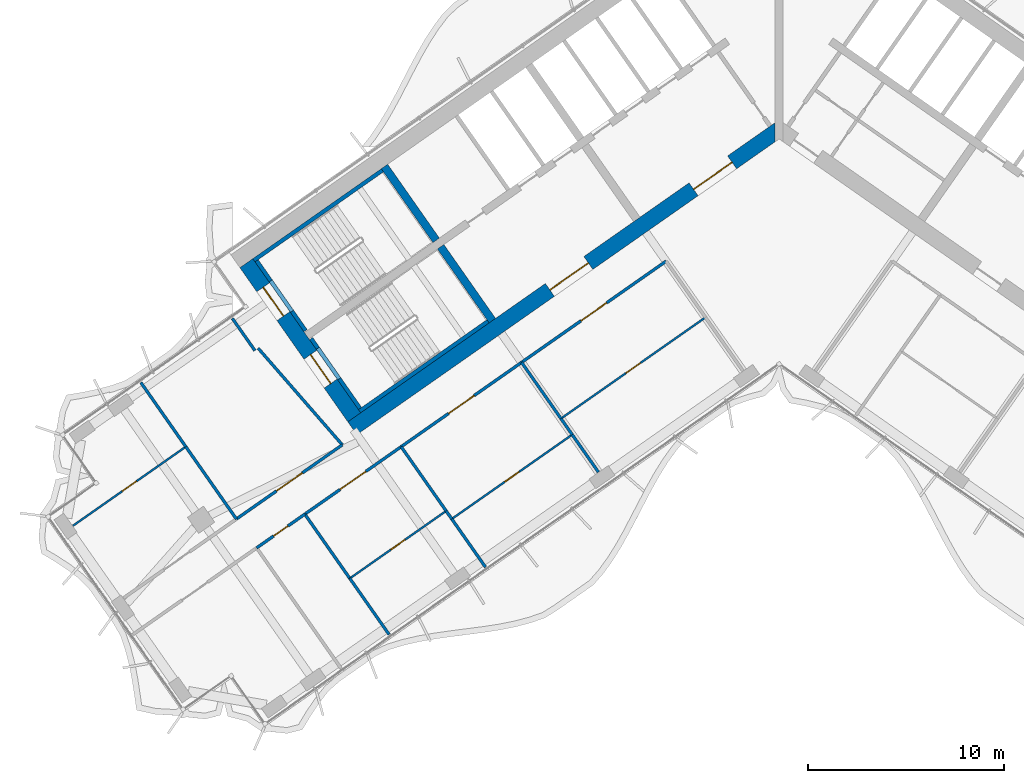
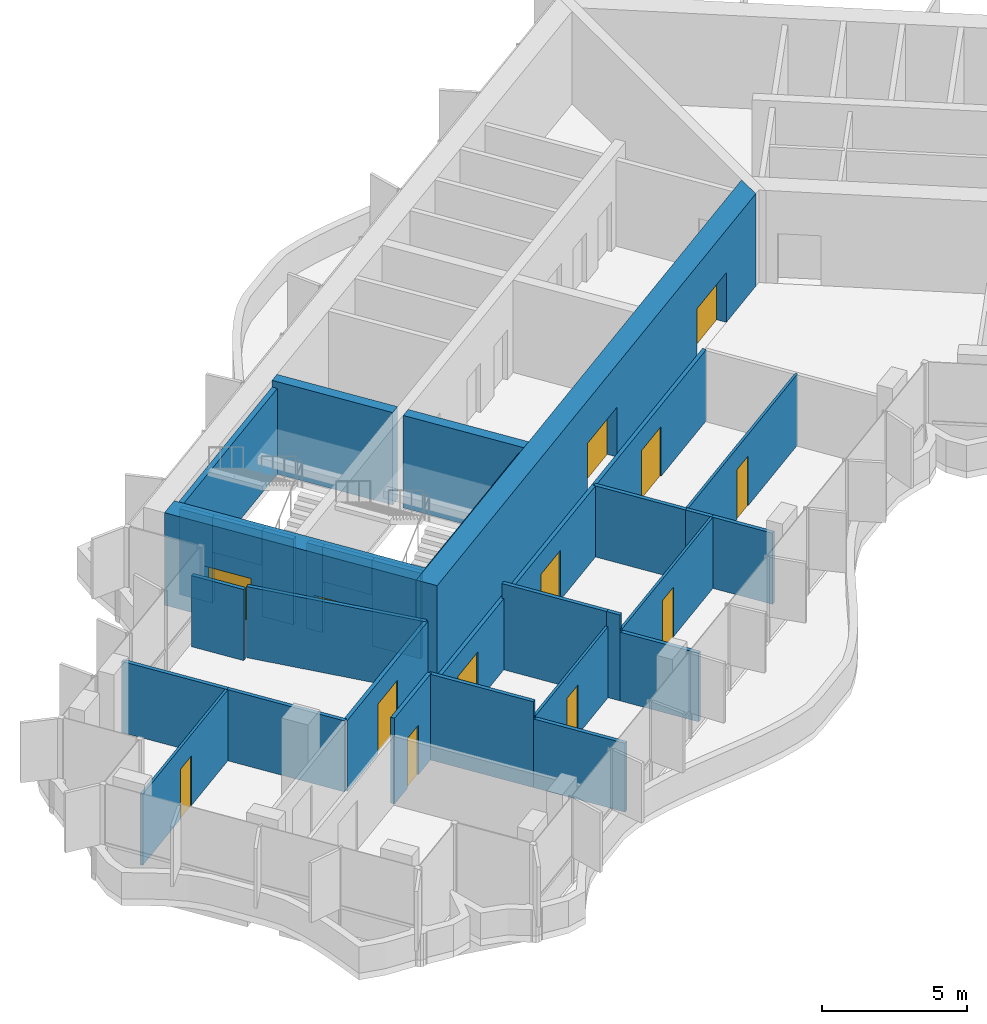
# One storey, part 13 of 23: 33 walls, 13 doors, 13 openings.
"""IFC4 building model written with IfcOpenShell, lengths in metres."""

from ifc_helpers import new_model, si_unit, direction, frame, frame_2d, origin, place, context, subcontext, project, spatial, polyline, rectangle, outline, extrude, material, layer, layer_set, type_object, element, fill, save


model = new_model("IFC4")

# Units and contexts
model_context = context("Model", 3, precision=1e-05, world=origin(), true_north=direction((0.0, 1.0)))
body_context = subcontext(model_context, "Body", "Model", "MODEL_VIEW")
ifc_project = project(units=[si_unit("LENGTHUNIT", "METRE"), si_unit("AREAUNIT", "SQUARE_METRE"), si_unit("VOLUMEUNIT", "CUBIC_METRE"), si_unit("PLANEANGLEUNIT", "RADIAN"), si_unit("MASSUNIT", "GRAM", prefix="KILO")], contexts=[model_context])

# Site, building, storey
site_placement = place(None, origin())
site = spatial("IfcSite", under=ifc_project, at=site_placement, CompositionType="ELEMENT")
building_placement = place(site_placement, origin())
building = spatial("IfcBuilding", under=site, at=building_placement, Name="Tel Ilan Convention Tower", CompositionType="ELEMENT")
storey_placement = place(building_placement, frame((0.0, 0.0, 190.5)))
storey = spatial("IfcBuildingStorey", under=building, at=storey_placement, Name="L44", CompositionType="ELEMENT", Elevation=190.5)

# Walls
ifc_material_1 = material(Name="Concrete C50/60", Category="concrete")
ifc_layer_1 = layer(ifc_material_1, 0.39990234375)
ifc_layer_set_1 = layer_set([ifc_layer_1], Name="Core Shear Wall 400 mm C50/60")
wall_type_1 = type_object("IfcWallType", Name="Core Shear Wall 400 mm C50/60", PredefinedType="SHEAR", material=ifc_layer_set_1)
wall_1_placement = place(storey_placement, frame((-14.6298828125, -10.48828125, 0.0), z_axis=(0.0, 0.0, 1.0), x_axis=(-0.573611936273, 0.819127185829, 0.0)))
element("IfcWall", 1, at=wall_1_placement, inside=storey, type_object=wall_type_1, Name="L44 core wall W-cross2-1", PredefinedType="SHEAR", context=body_context, shape_type="SweptSolid", body=[
    extrude(outline(polyline([(4.60009765625, 0.199951171875), (0.000244140625, 0.2001953125), (0.000244140625, -0.199951171875), (4.60009765625, -0.2001953125), (4.60009765625, 0.199951171875)])), origin(), (0.0, 0.0, 1.0), 3.89990234375),
])
wall_2_placement = place(storey_placement, frame((-17.497802734375, -6.392333984375, 0.0), z_axis=(0.0, 0.0, 1.0), x_axis=(-0.573611936273, 0.819127185829, 0.0)))
element("IfcWall", 2, at=wall_2_placement, inside=storey, type_object=wall_type_1, Name="L44 core wall W-cross2-2", PredefinedType="SHEAR", context=body_context, shape_type="SweptSolid", body=[
    extrude(outline(polyline([(4.599853515625, -0.2001953125), (4.599853515625, 0.199951171875), (0.0, 0.2001953125), (0.0, -0.199951171875), (4.599853515625, -0.2001953125)])), origin(), (0.0, 0.0, 1.0), 3.89990234375),
])

# Wall, openings, doors
ifc_material_2 = material(Name="Concrete C50/60", Category="concrete")
ifc_layer_2 = layer(ifc_material_2, 0.800048828125)
ifc_layer_set_2 = layer_set([ifc_layer_2], Name="Core Shear Wall 800 mm C50/60")
wall_type_2 = type_object("IfcWallType", Name="Core Shear Wall 800 mm C50/60", PredefinedType="SHEAR", material=ifc_layer_set_2)
wall_3_placement = place(storey_placement, frame((0.029296875, -0.7119140625, 0.0), z_axis=(0.0, 0.0, 1.0), x_axis=(-0.819151758019, -0.573576845187, 0.0)))
wall_3 = element("IfcWall", 3, at=wall_3_placement, inside=storey, type_object=wall_type_2, Name="L44 core wall W-front", PredefinedType="SHEAR", context=body_context, shape_type="SweptSolid", body=[
    extrude(outline(polyline([(26.61572265625, 0.39990234375), (0.56005859375, 0.39990234375), (-0.000244140625, -0.39990234375), (26.61572265625, -0.39990234375), (26.61572265625, 0.39990234375)])), origin(), (0.0, 0.0, 1.0), 3.89990234375),
])
opening_1_placement = place(wall_3_placement, frame((2.9658203125, 0.0, 0.0)))
opening_1 = element("IfcOpeningElement", 4, at=opening_1_placement, cuts=wall_3, Name="Opening CD3405", PredefinedType="OPENING", context=body_context, shape_type="SweptSolid", body=[
    extrude(rectangle(XDim=2.39990234375, YDim=2.10009765625, at=frame_2d((1.199951171875, 1.050048828125))), frame((0.0, 0.409912109375, 0.0), z_axis=(0.0, -1.0, 0.0), x_axis=(1.0, 0.0, 0.0)), (0.0, 0.0, 1.0), 0.820068359375),
])
opening_2_placement = place(wall_3_placement, frame((11.915771484375, 0.0, 0.0)))
opening_2 = element("IfcOpeningElement", 5, at=opening_2_placement, cuts=wall_3, Name="Opening CD3406", PredefinedType="OPENING", context=body_context, shape_type="SweptSolid", body=[
    extrude(rectangle(XDim=2.39990234375, YDim=2.10009765625, at=frame_2d((1.199951171875, 1.050048828125))), frame((0.0, 0.409912109375, 0.0), z_axis=(0.0, -1.0, 0.0), x_axis=(1.0, 0.0, 0.0)), (0.0, 0.0, 1.0), 0.820068359375),
])
ifc_material_3 = material(Name="Glazed Aluminium Door Leaf", Category="aluminium")
door_type_1 = type_object("IfcDoorType", Name="Lobby Opening Door 2400 x 2100 FD60S", OperationType="NOTDEFINED", PredefinedType="DOOR", material=ifc_material_3)
door_1_placement = place(opening_1_placement, origin())
door_1 = element("IfcDoor", 6, at=door_1_placement, inside=storey, type_object=door_type_1, Name="Lift Lobby LR1-LR4 opening", OperationType="DOUBLE_DOOR_SINGLE_SWING", OverallHeight=2.10009765625, OverallWidth=2.39990234375, PredefinedType="DOOR", context=body_context, shape_type="SweptSolid", body=[
    extrude(rectangle(XDim=2.39990234375, YDim=2.10009765625, at=frame_2d((1.199951171875, 1.050048828125))), frame((0.0, 0.02490234375, 0.0), z_axis=(0.0, -1.0, 0.0), x_axis=(1.0, 0.0, 0.0)), (0.0, 0.0, 1.0), 0.050048828125),
])
fill(opening_1, door_1)
door_2_placement = place(opening_2_placement, origin())
door_2 = element("IfcDoor", 7, at=door_2_placement, inside=storey, type_object=door_type_1, Name="Lift Lobby LR5-LR6 opening", OperationType="DOUBLE_DOOR_SINGLE_SWING", OverallHeight=2.10009765625, OverallWidth=2.39990234375, PredefinedType="DOOR", context=body_context, shape_type="SweptSolid", body=[
    extrude(rectangle(XDim=2.39990234375, YDim=2.10009765625, at=frame_2d((1.199951171875, 1.050048828125))), frame((0.0, 0.02490234375, 0.0), z_axis=(0.0, -1.0, 0.0), x_axis=(1.0, 0.0, 0.0)), (0.0, 0.0, 1.0), 0.050048828125),
])
fill(opening_2, door_2)

wall_4_placement = place(storey_placement, frame((-21.6748046875, -15.4208984375, 0.0), z_axis=(0.0, 0.0, 1.0), x_axis=(-0.573581815061, 0.819148278049, 0.0)))
wall_4 = element("IfcWall", 8, at=wall_4_placement, inside=storey, type_object=wall_type_2, Name="L44 core wall W-end", PredefinedType="SHEAR", context=body_context, shape_type="SweptSolid", body=[
    extrude(outline(polyline([(0.0, 0.39990234375), (0.0, -0.39990234375), (9.599853515625, -0.400146484375), (9.599853515625, 0.39990234375), (0.0, 0.39990234375)])), origin(), (0.0, 0.0, 1.0), 3.89990234375),
])
opening_3_placement = place(wall_4_placement, frame((6.300048828125, 0.0, 0.0)))
opening_3 = element("IfcOpeningElement", 9, at=opening_3_placement, cuts=wall_4, Name="Opening SD3401", PredefinedType="OPENING", context=body_context, shape_type="SweptSolid", body=[
    extrude(rectangle(XDim=1.800048828125, YDim=2.10009765625, at=frame_2d((0.89990234375, 1.050048828125))), frame((0.0, 0.409912109375, 0.0), z_axis=(0.0, -1.0, 0.0), x_axis=(1.0, 0.0, 0.0)), (0.0, 0.0, 1.0), 0.820068359375),
])
opening_4_placement = place(wall_4_placement, frame((2.10009765625, 0.0, 0.0)))
opening_4 = element("IfcOpeningElement", 10, at=opening_4_placement, cuts=wall_4, Name="Opening SD3402", PredefinedType="OPENING", context=body_context, shape_type="SweptSolid", body=[
    extrude(rectangle(XDim=1.800048828125, YDim=2.10009765625, at=frame_2d((0.89990234375, 1.050048828125))), frame((0.0, 0.409912109375, 0.0), z_axis=(0.0, -1.0, 0.0), x_axis=(1.0, 0.0, 0.0)), (0.0, 0.0, 1.0), 0.820068359375),
])
ifc_material_4 = material(Name="Galvanised Steel Door Leaf", Category="steel")
door_type_2 = type_object("IfcDoorType", Name="Stair Fire Door 1800 x 2100 FD60S", OperationType="NOTDEFINED", PredefinedType="DOOR", material=ifc_material_4)
door_3_placement = place(opening_3_placement, origin())
door_3 = element("IfcDoor", 11, at=door_3_placement, inside=storey, type_object=door_type_2, Name="Stair S1 door", OperationType="DOUBLE_DOOR_SINGLE_SWING", OverallHeight=2.10009765625, OverallWidth=1.800048828125, PredefinedType="DOOR", context=body_context, shape_type="SweptSolid", body=[
    extrude(rectangle(XDim=1.800048828125, YDim=2.10009765625, at=frame_2d((0.89990234375, 1.050048828125))), frame((0.0, 0.02490234375, 0.0), z_axis=(0.0, -1.0, 0.0), x_axis=(1.0, 0.0, 0.0)), (0.0, 0.0, 1.0), 0.050048828125),
])
fill(opening_3, door_3)
door_4_placement = place(opening_4_placement, origin())
door_4 = element("IfcDoor", 12, at=door_4_placement, inside=storey, type_object=door_type_2, Name="Stair S2 door", OperationType="DOUBLE_DOOR_SINGLE_SWING", OverallHeight=2.10009765625, OverallWidth=1.800048828125, PredefinedType="DOOR", context=body_context, shape_type="SweptSolid", body=[
    extrude(rectangle(XDim=1.800048828125, YDim=2.10009765625, at=frame_2d((0.89990234375, 1.050048828125))), frame((0.0, 0.02490234375, 0.0), z_axis=(0.0, -1.0, 0.0), x_axis=(1.0, 0.0, 0.0)), (0.0, 0.0, 1.0), 0.050048828125),
])
fill(opening_4, door_4)

# Wall, opening, door
ifc_material_5 = material(Name="Plasterboard on Steel Studs", Category="steel")
ifc_layer_3 = layer(ifc_material_5, 0.14990234375)
ifc_layer_set_3 = layer_set([ifc_layer_3], Name="Fire-rated Partition 150 EI 60")
wall_type_3 = type_object("IfcWallType", Name="Fire-rated Partition 150 EI 60", PredefinedType="PARTITIONING", material=ifc_layer_set_3)
wall_5_placement = place(storey_placement, frame((-27.688232421875, -20.609130859375, 0.0), z_axis=(0.0, 0.0, 1.0), x_axis=(0.819145002073, 0.573586493547, 0.0)))
wall_5 = element("IfcWall", 13, at=wall_5_placement, inside=storey, type_object=wall_type_3, Name="Partition 008", PredefinedType="PARTITIONING", context=body_context, shape_type="SweptSolid", body=[
    extrude(rectangle(XDim=6.5986328125, YDim=0.14990234375, at=frame_2d((3.29931640625, 0.0))), origin(), (0.0, 0.0, 1.0), 3.0),
])
opening_5_placement = place(wall_5_placement, frame((2.49951171875, 0.0, 0.0)))
opening_5 = element("IfcOpeningElement", 14, at=opening_5_placement, cuts=wall_5, Name="Opening L44-009", PredefinedType="OPENING", context=body_context, shape_type="SweptSolid", body=[
    extrude(rectangle(XDim=1.60009765625, YDim=2.10009765625, at=frame_2d((0.800048828125, 1.050048828125))), frame((0.0, 0.0849609375, 0.0), z_axis=(0.0, -1.0, 0.0), x_axis=(1.0, 0.0, 0.0)), (0.0, 0.0, 1.0), 0.169921875),
])
ifc_material_6 = material(Name="Timber Door Leaf in Steel Frame", Category="steel")
door_type_3 = type_object("IfcDoorType", Name="Tenant Suite Entrance Fire Door 1600x2100", OperationType="NOTDEFINED", PredefinedType="DOOR", material=ifc_material_6)
door_5_placement = place(opening_5_placement, origin())
door_5 = element("IfcDoor", 15, at=door_5_placement, inside=storey, type_object=door_type_3, Name="Door L44-009", OperationType="DOUBLE_DOOR_SINGLE_SWING", OverallHeight=2.10009765625, OverallWidth=1.60009765625, PredefinedType="DOOR", context=body_context, shape_type="SweptSolid", body=[
    extrude(rectangle(XDim=1.60009765625, YDim=2.10009765625, at=frame_2d((0.800048828125, 1.050048828125))), frame((0.0, 0.02490234375, 0.0), z_axis=(0.0, -1.0, 0.0), x_axis=(1.0, 0.0, 0.0)), (0.0, 0.0, 1.0), 0.050048828125),
])
fill(opening_5, door_5)

wall_6_placement = place(storey_placement, frame((-5.766357421875, -7.455810546875, 0.0), z_axis=(0.0, 0.0, 1.0), x_axis=(-0.81915291695, -0.57357519006, 0.0)))
wall_6 = element("IfcWall", 16, at=wall_6_placement, inside=storey, type_object=wall_type_3, Name="Partition 010", PredefinedType="PARTITIONING", context=body_context, shape_type="SweptSolid", body=[
    extrude(rectangle(XDim=9.001953125, YDim=0.14990234375, at=frame_2d((4.5009765625, 0.0))), origin(), (0.0, 0.0, 1.0), 3.0),
])
opening_6_placement = place(wall_6_placement, frame((3.700927734375, 0.0, 0.0)))
opening_6 = element("IfcOpeningElement", 17, at=opening_6_placement, cuts=wall_6, Name="Opening L44-001", PredefinedType="OPENING", context=body_context, shape_type="SweptSolid", body=[
    extrude(rectangle(XDim=1.60009765625, YDim=2.10009765625, at=frame_2d((0.800048828125, 1.050048828125))), frame((0.0, 0.0849609375, 0.0), z_axis=(0.0, -1.0, 0.0), x_axis=(1.0, 0.0, 0.0)), (0.0, 0.0, 1.0), 0.169921875),
])
door_6_placement = place(opening_6_placement, origin())
door_6 = element("IfcDoor", 18, at=door_6_placement, inside=storey, type_object=door_type_3, Name="Door L44-001", OperationType="DOUBLE_DOOR_SINGLE_SWING", OverallHeight=2.10009765625, OverallWidth=1.60009765625, PredefinedType="DOOR", context=body_context, shape_type="SweptSolid", body=[
    extrude(rectangle(XDim=1.60009765625, YDim=2.10009765625, at=frame_2d((0.800048828125, 1.050048828125))), frame((0.0, 0.02490234375, 0.0), z_axis=(0.0, -1.0, 0.0), x_axis=(1.0, 0.0, 0.0)), (0.0, 0.0, 1.0), 0.050048828125),
])
fill(opening_6, door_6)

wall_7_placement = place(storey_placement, frame((-13.13720703125, -12.616943359375, 0.0), z_axis=(0.0, 0.0, 1.0), x_axis=(-0.819153958035, -0.573573703229, 0.0)))
wall_7 = element("IfcWall", 19, at=wall_7_placement, inside=storey, type_object=wall_type_3, Name="Partition 011", PredefinedType="PARTITIONING", context=body_context, shape_type="SweptSolid", body=[
    extrude(rectangle(XDim=7.503662109375, YDim=0.14990234375, at=frame_2d((3.751953125, 0.0))), origin(), (0.0, 0.0, 1.0), 3.0),
])
opening_7_placement = place(wall_7_placement, frame((2.951904296875, 0.0, 0.0)))
opening_7 = element("IfcOpeningElement", 20, at=opening_7_placement, cuts=wall_7, Name="Opening L44-003", PredefinedType="OPENING", context=body_context, shape_type="SweptSolid", body=[
    extrude(rectangle(XDim=1.60009765625, YDim=2.10009765625, at=frame_2d((0.800048828125, 1.050048828125))), frame((0.0, 0.0849609375, 0.0), z_axis=(0.0, -1.0, 0.0), x_axis=(1.0, 0.0, 0.0)), (0.0, 0.0, 1.0), 0.169921875),
])
door_7_placement = place(opening_7_placement, origin())
door_7 = element("IfcDoor", 21, at=door_7_placement, inside=storey, type_object=door_type_3, Name="Door L44-003", OperationType="DOUBLE_DOOR_SINGLE_SWING", OverallHeight=2.10009765625, OverallWidth=1.60009765625, PredefinedType="DOOR", context=body_context, shape_type="SweptSolid", body=[
    extrude(rectangle(XDim=1.60009765625, YDim=2.10009765625, at=frame_2d((0.800048828125, 1.050048828125))), frame((0.0, 0.02490234375, 0.0), z_axis=(0.0, -1.0, 0.0), x_axis=(1.0, 0.0, 0.0)), (0.0, 0.0, 1.0), 0.050048828125),
])
fill(opening_7, door_7)

wall_8_placement = place(storey_placement, frame((-19.28076171875, -16.918701171875, 0.0), z_axis=(0.0, 0.0, 1.0), x_axis=(-0.819145946981, -0.573585144111, 0.0)))
wall_8 = element("IfcWall", 22, at=wall_8_placement, inside=storey, type_object=wall_type_3, Name="Partition 012", PredefinedType="PARTITIONING", context=body_context, shape_type="SweptSolid", body=[
    extrude(rectangle(XDim=6.004150390625, YDim=0.14990234375, at=frame_2d((3.001953125, 0.0))), origin(), (0.0, 0.0, 1.0), 3.0),
])
opening_8_placement = place(wall_8_placement, frame((2.201904296875, 0.0, 0.0)))
opening_8 = element("IfcOpeningElement", 23, at=opening_8_placement, cuts=wall_8, Name="Opening L44-005", PredefinedType="OPENING", context=body_context, shape_type="SweptSolid", body=[
    extrude(rectangle(XDim=1.60009765625, YDim=2.10009765625, at=frame_2d((0.800048828125, 1.050048828125))), frame((0.0, 0.0849609375, 0.0), z_axis=(0.0, -1.0, 0.0), x_axis=(1.0, 0.0, 0.0)), (0.0, 0.0, 1.0), 0.169921875),
])
door_8_placement = place(opening_8_placement, origin())
door_8 = element("IfcDoor", 24, at=door_8_placement, inside=storey, type_object=door_type_3, Name="Door L44-005", OperationType="DOUBLE_DOOR_SINGLE_SWING", OverallHeight=2.10009765625, OverallWidth=1.60009765625, PredefinedType="DOOR", context=body_context, shape_type="SweptSolid", body=[
    extrude(rectangle(XDim=1.60009765625, YDim=2.10009765625, at=frame_2d((0.800048828125, 1.050048828125))), frame((0.0, 0.02490234375, 0.0), z_axis=(0.0, -1.0, 0.0), x_axis=(1.0, 0.0, 0.0)), (0.0, 0.0, 1.0), 0.050048828125),
])
fill(opening_8, door_8)

wall_9_placement = place(storey_placement, frame((-24.195556640625, -20.360107421875, 0.0), z_axis=(0.0, 0.0, 1.0), x_axis=(-0.819128818764, -0.573609604409, 0.0)))
wall_9 = element("IfcWall", 25, at=wall_9_placement, inside=storey, type_object=wall_type_3, Name="Partition 013", PredefinedType="PARTITIONING", context=body_context, shape_type="SweptSolid", body=[
    extrude(rectangle(XDim=3.004150390625, YDim=0.14990234375, at=frame_2d((1.501953125, 0.0))), origin(), (0.0, 0.0, 1.0), 3.6201171875),
])
opening_9_placement = place(wall_9_placement, frame((1.052001953125, 0.0, 0.0)))
opening_9 = element("IfcOpeningElement", 26, at=opening_9_placement, cuts=wall_9, Name="Opening L44-007", PredefinedType="OPENING", context=body_context, shape_type="SweptSolid", body=[
    extrude(rectangle(XDim=0.89990234375, YDim=2.10009765625, at=frame_2d((0.449951171875, 1.050048828125))), frame((0.0, 0.0849609375, 0.0), z_axis=(0.0, -1.0, 0.0), x_axis=(1.0, 0.0, 0.0)), (0.0, 0.0, 1.0), 0.169921875),
])
ifc_material_7 = material(Name="Timber Door Leaf in Steel Frame", Category="steel")
door_type_4 = type_object("IfcDoorType", Name="Room Fire Door 900x2100", OperationType="NOTDEFINED", PredefinedType="DOOR", material=ifc_material_7)
door_9_placement = place(opening_9_placement, origin())
door_9 = element("IfcDoor", 27, at=door_9_placement, inside=storey, type_object=door_type_4, Name="Door L44-007", OperationType="SINGLE_SWING_RIGHT", OverallHeight=2.10009765625, OverallWidth=0.89990234375, PredefinedType="DOOR", context=body_context, shape_type="SweptSolid", body=[
    extrude(rectangle(XDim=0.89990234375, YDim=2.10009765625, at=frame_2d((0.449951171875, 1.050048828125))), frame((0.0, 0.02490234375, 0.0), z_axis=(0.0, -1.0, 0.0), x_axis=(1.0, 0.0, 0.0)), (0.0, 0.0, 1.0), 0.050048828125),
])
fill(opening_9, door_9)

# Walls
wall_10_placement = place(storey_placement, frame((-26.74609375, -12.013671875, 0.0), z_axis=(0.0, 0.0, 1.0), x_axis=(-0.573568836472, 0.819157365729, 0.0)))
element("IfcWall", 28, at=wall_10_placement, inside=storey, type_object=wall_type_3, Name="Partition 031", PredefinedType="PARTITIONING", context=body_context, shape_type="SweptSolid", body=[
    extrude(rectangle(XDim=2.000244140625, YDim=0.14990234375, at=frame_2d((1.0, 0.0))), origin(), (0.0, 0.0, 1.0), 3.0),
])
wall_11_placement = place(storey_placement, frame((-22.28369140625, -16.826416015625, 0.0), z_axis=(0.0, 0.0, 1.0), x_axis=(-0.656758142177, 0.754101281449, 0.0)))
element("IfcWall", 29, at=wall_11_placement, inside=storey, type_object=wall_type_3, Name="Partition 032", PredefinedType="PARTITIONING", context=body_context, shape_type="SweptSolid", body=[
    extrude(rectangle(XDim=6.53857421875, YDim=0.14990234375, at=frame_2d((3.269287109375, 0.0))), origin(), (0.0, 0.0, 1.0), 3.0),
])
wall_12_placement = place(storey_placement, frame((-30.267578125, -16.922119140625, 0.0), z_axis=(0.0, 0.0, 1.0), x_axis=(-0.573593387921, 0.81914017441, 0.0)))
element("IfcWall", 30, at=wall_12_placement, inside=storey, type_object=wall_type_3, Name="Partition 033", PredefinedType="PARTITIONING", context=body_context, shape_type="SweptSolid", body=[
    extrude(rectangle(XDim=4.0009765625, YDim=0.14990234375, at=frame_2d((2.00048828125, 0.0))), origin(), (0.0, 0.0, 1.0), 3.0),
])
wall_13_placement = place(storey_placement, frame((-27.687255859375, -20.607421875, 0.0), z_axis=(0.0, 0.0, 1.0), x_axis=(-0.573553333433, 0.819168220641, 0.0)))
element("IfcWall", 31, at=wall_13_placement, inside=storey, type_object=wall_type_3, Name="Partition 034", PredefinedType="PARTITIONING", context=body_context, shape_type="SweptSolid", body=[
    extrude(rectangle(XDim=4.501708984375, YDim=0.14990234375, at=frame_2d((2.2509765625, 0.0))), origin(), (0.0, 0.0, 1.0), 3.0),
])
wall_14_placement = place(storey_placement, frame((-9.22119140625, -18.212890625, 0.0), z_axis=(0.0, 0.0, 1.0), x_axis=(-0.573553724287, 0.819167946978, 0.0)))
element("IfcWall", 32, at=wall_14_placement, inside=storey, type_object=wall_type_3, Name="Partition 037", PredefinedType="PARTITIONING", context=body_context, shape_type="SweptSolid", body=[
    extrude(rectangle(XDim=2.330810546875, YDim=0.14990234375, at=frame_2d((1.16552734375, 0.0))), origin(), (0.0, 0.0, 1.0), 3.0),
])
wall_15_placement = place(storey_placement, frame((-10.556396484375, -16.305908203125, 0.0), z_axis=(0.0, 0.0, 1.0), x_axis=(-0.573576907489, 0.819151714394, 0.0)))
element("IfcWall", 33, at=wall_15_placement, inside=storey, type_object=wall_type_3, Name="Partition 038", PredefinedType="PARTITIONING", context=body_context, shape_type="SweptSolid", body=[
    extrude(rectangle(XDim=1.001220703125, YDim=0.14990234375, at=frame_2d((0.50048828125, 0.0))), origin(), (0.0, 0.0, 1.0), 3.0),
])
wall_16_placement = place(storey_placement, frame((-11.131103515625, -15.485107421875, 0.0), z_axis=(0.0, 0.0, 1.0), x_axis=(-0.573565328398, 0.819159822049, 0.0)))
element("IfcWall", 34, at=wall_16_placement, inside=storey, type_object=wall_type_3, Name="Partition 039", PredefinedType="PARTITIONING", context=body_context, shape_type="SweptSolid", body=[
    extrude(rectangle(XDim=3.500244140625, YDim=0.14990234375, at=frame_2d((1.75, 0.0))), origin(), (0.0, 0.0, 1.0), 3.0),
])
wall_17_placement = place(storey_placement, frame((-14.98046875, -23.0634765625, 0.0), z_axis=(0.0, 0.0, 1.0), x_axis=(-0.573566142353, 0.819159252128, 0.0)))
element("IfcWall", 35, at=wall_17_placement, inside=storey, type_object=wall_type_3, Name="Partition 041", PredefinedType="PARTITIONING", context=body_context, shape_type="SweptSolid", body=[
    extrude(rectangle(XDim=2.999267578125, YDim=0.14990234375, at=frame_2d((1.49951171875, 0.0))), origin(), (0.0, 0.0, 1.0), 2.89990234375),
])
wall_18_placement = place(storey_placement, frame((-16.701416015625, -20.60595703125, 0.0), z_axis=(0.0, 0.0, 1.0), x_axis=(-0.573233321751, 0.819392188659, 0.0)))
element("IfcWall", 36, at=wall_18_placement, inside=storey, type_object=wall_type_3, Name="Partition 042", PredefinedType="PARTITIONING", context=body_context, shape_type="SweptSolid", body=[
    extrude(rectangle(XDim=0.5009765625, YDim=0.14990234375, at=frame_2d((0.25048828125, 0.0))), origin(), (0.0, 0.0, 1.0), 3.6201171875),
])
wall_19_placement = place(storey_placement, frame((-16.98681640625, -20.197998046875, 0.0), z_axis=(0.0, 0.0, 1.0), x_axis=(-0.573630198485, 0.819114397008, 0.0)))
element("IfcWall", 37, at=wall_19_placement, inside=storey, type_object=wall_type_3, Name="Partition 043", PredefinedType="PARTITIONING", context=body_context, shape_type="SweptSolid", body=[
    extrude(rectangle(XDim=4.001953125, YDim=0.14990234375, at=frame_2d((2.0009765625, 0.0))), origin(), (0.0, 0.0, 1.0), 3.6201171875),
])
wall_20_placement = place(storey_placement, frame((-19.8955078125, -26.5048828125, 0.0), z_axis=(0.0, 0.0, 1.0), x_axis=(-0.573555999232, 0.819166354134, 0.0)))
element("IfcWall", 38, at=wall_20_placement, inside=storey, type_object=wall_type_3, Name="Partition 045", PredefinedType="PARTITIONING", context=body_context, shape_type="SweptSolid", body=[
    extrude(rectangle(XDim=3.4990234375, YDim=0.14990234375, at=frame_2d((1.74951171875, 0.0))), origin(), (0.0, 0.0, 1.0), 2.89990234375),
])
wall_21_placement = place(storey_placement, frame((-21.903076171875, -23.637939453125, 0.0), z_axis=(0.0, 0.0, 1.0), x_axis=(-0.573556557423, 0.819165963305, 0.0)))
element("IfcWall", 39, at=wall_21_placement, inside=storey, type_object=wall_type_3, Name="Partition 046", PredefinedType="PARTITIONING", context=body_context, shape_type="SweptSolid", body=[
    extrude(rectangle(XDim=4.0, YDim=0.14990234375, at=frame_2d((2.0, 0.0))), origin(), (0.0, 0.0, 1.0), 3.6201171875),
])

# Wall, opening, door
ifc_material_8 = material(Name="Plasterboard on Steel Studs", Category="steel")
ifc_layer_4 = layer(ifc_material_8, 0.10009765625)
ifc_layer_set_4 = layer_set([ifc_layer_4], Name="Plasterboard Partition 100")
wall_type_4 = type_object("IfcWallType", Name="Plasterboard Partition 100", PredefinedType="PARTITIONING", material=ifc_layer_set_4)
wall_22_placement = place(storey_placement, frame((-36.02734375, -20.952880859375, 0.0), z_axis=(0.0, 0.0, 1.0), x_axis=(0.819132385288, 0.57360451129, 0.0)))
wall_22 = element("IfcWall", 40, at=wall_22_placement, inside=storey, type_object=wall_type_4, Name="Partition 035", PredefinedType="PARTITIONING", context=body_context, shape_type="SweptSolid", body=[
    extrude(rectangle(XDim=7.030029296875, YDim=0.10009765625, at=frame_2d((3.51513671875, 0.0))), origin(), (0.0, 0.0, 1.0), 3.0),
])
opening_10_placement = place(wall_22_placement, frame((3.06494140625, 0.0, 0.0)))
opening_10 = element("IfcOpeningElement", 41, at=opening_10_placement, cuts=wall_22, Name="Opening L44-011", PredefinedType="OPENING", context=body_context, shape_type="SweptSolid", body=[
    extrude(rectangle(XDim=0.89990234375, YDim=2.10009765625, at=frame_2d((0.449951171875, 1.050048828125))), frame((0.0, 0.06005859375, 0.0), z_axis=(0.0, -1.0, 0.0), x_axis=(1.0, 0.0, 0.0)), (0.0, 0.0, 1.0), 0.1201171875),
])
ifc_material_9 = material(Name="Timber Door Leaf in Steel Frame", Category="steel")
door_type_5 = type_object("IfcDoorType", Name="Room Timber Door 900x2100", OperationType="NOTDEFINED", PredefinedType="DOOR", material=ifc_material_9)
door_10_placement = place(opening_10_placement, origin())
door_10 = element("IfcDoor", 42, at=door_10_placement, inside=storey, type_object=door_type_5, Name="Door L44-011", OperationType="SINGLE_SWING_RIGHT", OverallHeight=2.10009765625, OverallWidth=0.89990234375, PredefinedType="DOOR", context=body_context, shape_type="SweptSolid", body=[
    extrude(rectangle(XDim=0.89990234375, YDim=2.10009765625, at=frame_2d((0.449951171875, 1.050048828125))), frame((0.0, 0.02490234375, 0.0), z_axis=(0.0, -1.0, 0.0), x_axis=(1.0, 0.0, 0.0)), (0.0, 0.0, 1.0), 0.050048828125),
])
fill(opening_10, door_10)

wall_23_placement = place(storey_placement, frame((-3.75830078125, -10.32373046875, 0.0), z_axis=(0.0, 0.0, 1.0), x_axis=(-0.819154173185, -0.573573395961, 0.0)))
wall_23 = element("IfcWall", 43, at=wall_23_placement, inside=storey, type_object=wall_type_4, Name="Partition 036", PredefinedType="PARTITIONING", context=body_context, shape_type="SweptSolid", body=[
    extrude(rectangle(XDim=9.0, YDim=0.10009765625, at=frame_2d((4.5, 0.0))), origin(), (0.0, 0.0, 1.0), 3.0),
])
opening_11_placement = place(wall_23_placement, frame((4.050048828125, 0.0, 0.0)))
opening_11 = element("IfcOpeningElement", 44, at=opening_11_placement, cuts=wall_23, Name="Opening L44-002", PredefinedType="OPENING", context=body_context, shape_type="SweptSolid", body=[
    extrude(rectangle(XDim=0.89990234375, YDim=2.10009765625, at=frame_2d((0.449951171875, 1.050048828125))), frame((0.0, 0.06005859375, 0.0), z_axis=(0.0, -1.0, 0.0), x_axis=(1.0, 0.0, 0.0)), (0.0, 0.0, 1.0), 0.1201171875),
])
door_11_placement = place(opening_11_placement, origin())
door_11 = element("IfcDoor", 45, at=door_11_placement, inside=storey, type_object=door_type_5, Name="Door L44-002", OperationType="SINGLE_SWING_LEFT", OverallHeight=2.10009765625, OverallWidth=0.89990234375, PredefinedType="DOOR", context=body_context, shape_type="SweptSolid", body=[
    extrude(rectangle(XDim=0.89990234375, YDim=2.10009765625, at=frame_2d((0.449951171875, 1.050048828125))), frame((0.0, 0.02490234375, 0.0), z_axis=(0.0, -1.0, 0.0), x_axis=(1.0, 0.0, 0.0)), (0.0, 0.0, 1.0), 0.050048828125),
])
fill(opening_11, door_11)

wall_24_placement = place(storey_placement, frame((-10.55712890625, -16.304931640625, 0.0), z_axis=(0.0, 0.0, 1.0), x_axis=(-0.81915238829, -0.573575945067, 0.0)))
wall_24 = element("IfcWall", 46, at=wall_24_placement, inside=storey, type_object=wall_type_4, Name="Partition 040", PredefinedType="PARTITIONING", context=body_context, shape_type="SweptSolid", body=[
    extrude(rectangle(XDim=7.5, YDim=0.10009765625, at=frame_2d((3.75, 0.0))), origin(), (0.0, 0.0, 1.0), 3.0),
])
opening_12_placement = place(wall_24_placement, frame((3.300048828125, 0.0, 0.0)))
opening_12 = element("IfcOpeningElement", 47, at=opening_12_placement, cuts=wall_24, Name="Opening L44-004", PredefinedType="OPENING", context=body_context, shape_type="SweptSolid", body=[
    extrude(rectangle(XDim=0.89990234375, YDim=2.10009765625, at=frame_2d((0.449951171875, 1.050048828125))), frame((0.0, 0.06005859375, 0.0), z_axis=(0.0, -1.0, 0.0), x_axis=(1.0, 0.0, 0.0)), (0.0, 0.0, 1.0), 0.1201171875),
])
door_12_placement = place(opening_12_placement, origin())
door_12 = element("IfcDoor", 48, at=door_12_placement, inside=storey, type_object=door_type_5, Name="Door L44-004", OperationType="SINGLE_SWING_RIGHT", OverallHeight=2.10009765625, OverallWidth=0.89990234375, PredefinedType="DOOR", context=body_context, shape_type="SweptSolid", body=[
    extrude(rectangle(XDim=0.89990234375, YDim=2.10009765625, at=frame_2d((0.449951171875, 1.050048828125))), frame((0.0, 0.02490234375, 0.0), z_axis=(0.0, -1.0, 0.0), x_axis=(1.0, 0.0, 0.0)), (0.0, 0.0, 1.0), 0.050048828125),
])
fill(opening_12, door_12)

wall_25_placement = place(storey_placement, frame((-16.987548828125, -20.197265625, 0.0), z_axis=(0.0, 0.0, 1.0), x_axis=(-0.819149710902, -0.573579768758, 0.0)))
wall_25 = element("IfcWall", 49, at=wall_25_placement, inside=storey, type_object=wall_type_4, Name="Partition 044", PredefinedType="PARTITIONING", context=body_context, shape_type="SweptSolid", body=[
    extrude(rectangle(XDim=5.999755859375, YDim=0.10009765625, at=frame_2d((3.0, 0.0))), origin(), (0.0, 0.0, 1.0), 3.0),
])
opening_13_placement = place(wall_25_placement, frame((2.550048828125, 0.0, 0.0)))
opening_13 = element("IfcOpeningElement", 50, at=opening_13_placement, cuts=wall_25, Name="Opening L44-006", PredefinedType="OPENING", context=body_context, shape_type="SweptSolid", body=[
    extrude(rectangle(XDim=0.89990234375, YDim=2.10009765625, at=frame_2d((0.449951171875, 1.050048828125))), frame((0.0, 0.06005859375, 0.0), z_axis=(0.0, -1.0, 0.0), x_axis=(1.0, 0.0, 0.0)), (0.0, 0.0, 1.0), 0.1201171875),
])
door_13_placement = place(opening_13_placement, origin())
door_13 = element("IfcDoor", 51, at=door_13_placement, inside=storey, type_object=door_type_5, Name="Door L44-006", OperationType="SINGLE_SWING_RIGHT", OverallHeight=2.10009765625, OverallWidth=0.89990234375, PredefinedType="DOOR", context=body_context, shape_type="SweptSolid", body=[
    extrude(rectangle(XDim=0.89990234375, YDim=2.10009765625, at=frame_2d((0.449951171875, 1.050048828125))), frame((0.0, 0.02490234375, 0.0), z_axis=(0.0, -1.0, 0.0), x_axis=(1.0, 0.0, 0.0)), (0.0, 0.0, 1.0), 0.050048828125),
])
fill(opening_13, door_13)

# Walls
ifc_material_10 = material(Name="Concrete C30/37", Category="concrete")
ifc_layer_5 = layer(ifc_material_10, 0.199951171875)
ifc_layer_set_5 = layer_set([ifc_layer_5], Name="Stair and Shaft Lining Wall 200 mm C30/37")
wall_type_5 = type_object("IfcWallType", Name="Stair and Shaft Lining Wall 200 mm C30/37", PredefinedType="SOLIDWALL", material=ifc_layer_set_5)
wall_26_placement = place(storey_placement, frame((-20.242919921875, -2.821044921875, 0.0), z_axis=(0.0, 0.0, 1.0), x_axis=(-0.819141584393, -0.57359137434, 0.0)))
element("IfcWall", 52, at=wall_26_placement, inside=storey, type_object=wall_type_5, Name="L44 core wall lining-S1-t1", PredefinedType="SOLIDWALL", context=body_context, shape_type="SweptSolid", body=[
    extrude(rectangle(XDim=7.999755859375, YDim=0.199951171875, at=frame_2d((4.0, 0.0))), origin(), (0.0, 0.0, 1.0), 3.6201171875),
])
wall_27_placement = place(storey_placement, frame((-24.16162109375, -10.99755859375, 0.0), z_axis=(0.0, 0.0, 1.0), x_axis=(-0.573612502218, 0.819126789514, 0.0)))
element("IfcWall", 53, at=wall_27_placement, inside=storey, type_object=wall_type_5, Name="L44 core wall lining-S1-u1-0", PredefinedType="SOLIDWALL", context=body_context, shape_type="SweptSolid", body=[
    extrude(rectangle(XDim=1.2001953125, YDim=0.199951171875, at=frame_2d((0.60009765625, 0.0))), origin(), (0.0, 0.0, 1.0), 3.6201171875),
])
wall_28_placement = place(storey_placement, frame((-25.939697265625, -8.4580078125, 0.0), z_axis=(0.0, 0.0, 1.0), x_axis=(-0.573619628835, 0.819121798889, 0.0)))
element("IfcWall", 54, at=wall_28_placement, inside=storey, type_object=wall_type_5, Name="L44 core wall lining-S1-u1-1", PredefinedType="SOLIDWALL", context=body_context, shape_type="SweptSolid", body=[
    extrude(rectangle(XDim=1.25, YDim=0.199951171875, at=frame_2d((0.625, 0.0))), origin(), (0.0, 0.0, 1.0), 3.6201171875),
])
wall_29_placement = place(storey_placement, frame((-24.85009765625, -10.014404296875, 2.14990234375), z_axis=(0.0, 0.0, 1.0), x_axis=(-0.573505465124, 0.819201734296, 0.0)))
element("IfcWall", 55, at=wall_29_placement, inside=storey, type_object=wall_type_5, Name="L44 core wall lining-S1-u1-lintel", PredefinedType="SOLIDWALL", context=body_context, shape_type="SweptSolid", body=[
    extrude(rectangle(XDim=1.89990234375, YDim=0.199951171875, at=frame_2d((0.949951171875, 0.0))), origin(), (0.0, 0.0, 1.0), 1.47021484375),
])
wall_30_placement = place(storey_placement, frame((-14.851318359375, -10.52099609375, 0.0), z_axis=(0.0, 0.0, 1.0), x_axis=(-0.819141584393, -0.57359137434, 0.0)))
element("IfcWall", 56, at=wall_30_placement, inside=storey, type_object=wall_type_5, Name="L44 core wall lining-S2-t0", PredefinedType="SOLIDWALL", context=body_context, shape_type="SweptSolid", body=[
    extrude(rectangle(XDim=7.999755859375, YDim=0.199951171875, at=frame_2d((4.0, 0.0))), origin(), (0.0, 0.0, 1.0), 3.6201171875),
])
wall_31_placement = place(storey_placement, frame((-21.3798828125, -14.97021484375, 0.0), z_axis=(0.0, 0.0, 1.0), x_axis=(-0.573559770908, 0.819163713305, 0.0)))
element("IfcWall", 57, at=wall_31_placement, inside=storey, type_object=wall_type_5, Name="L44 core wall lining-S2-u1-0", PredefinedType="SOLIDWALL", context=body_context, shape_type="SweptSolid", body=[
    extrude(rectangle(XDim=1.849853515625, YDim=0.199951171875, at=frame_2d((0.9248046875, 0.0))), origin(), (0.0, 0.0, 1.0), 3.6201171875),
])
wall_32_placement = place(storey_placement, frame((-23.53076171875, -11.8984375, 0.0), z_axis=(0.0, 0.0, 1.0), x_axis=(-0.573708088123, 0.819059844958, 0.0)))
element("IfcWall", 58, at=wall_32_placement, inside=storey, type_object=wall_type_5, Name="L44 core wall lining-S2-u1-1", PredefinedType="SOLIDWALL", context=body_context, shape_type="SweptSolid", body=[
    extrude(rectangle(XDim=0.60009765625, YDim=0.199951171875, at=frame_2d((0.300048828125, 0.0))), origin(), (0.0, 0.0, 1.0), 3.6201171875),
])
wall_33_placement = place(storey_placement, frame((-22.44091796875, -13.454833984375, 2.14990234375), z_axis=(0.0, 0.0, 1.0), x_axis=(-0.573591692345, 0.819141361715, 0.0)))
element("IfcWall", 59, at=wall_33_placement, inside=storey, type_object=wall_type_5, Name="L44 core wall lining-S2-u1-lintel", PredefinedType="SOLIDWALL", context=body_context, shape_type="SweptSolid", body=[
    extrude(rectangle(XDim=1.900146484375, YDim=0.199951171875, at=frame_2d((0.9501953125, 0.0))), origin(), (0.0, 0.0, 1.0), 1.47021484375),
])

save(model, "model.ifc")
